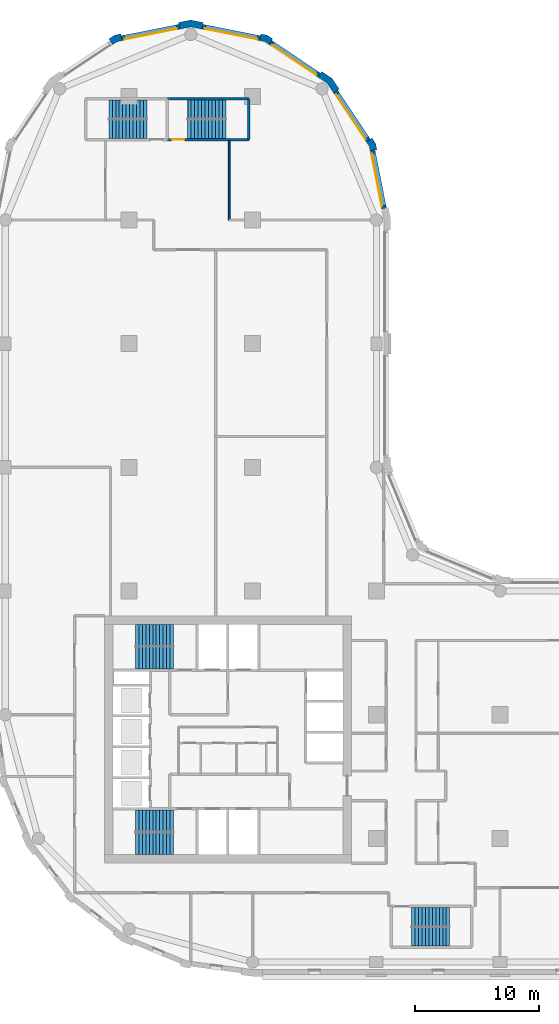
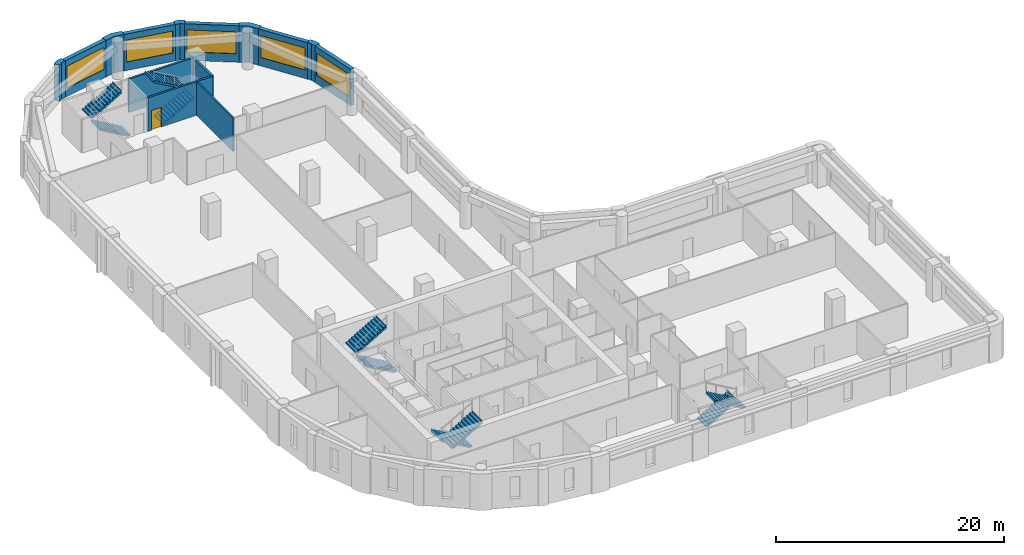
# One storey, part 7 of 9: 14 walls, 10 stair flights, 5 windows, 1 door, 6 openings, 5 elements without a shape of their own.
"""IFC4 building model written with IfcOpenShell, lengths in metres."""

from ifc_helpers import new_model, si_unit, direction, frame, frame_2d, origin, place, context, subcontext, project, spatial, polyline, rectangle, outline, extrude, material, layer, layer_set, type_object, element, fill, aggregate, save


model = new_model("IFC4")

# Units and contexts
model_context = context("Model", 3, precision=1e-05, world=origin(), true_north=direction((0.0, 1.0)))
body_context = subcontext(model_context, "Body", "Model", "MODEL_VIEW")
ifc_project = project(units=[si_unit("LENGTHUNIT", "METRE"), si_unit("AREAUNIT", "SQUARE_METRE"), si_unit("VOLUMEUNIT", "CUBIC_METRE"), si_unit("PLANEANGLEUNIT", "RADIAN"), si_unit("MASSUNIT", "GRAM", prefix="KILO")], contexts=[model_context])

# Site, building, storey
site_placement = place(None, origin())
site = spatial("IfcSite", under=ifc_project, at=site_placement, CompositionType="ELEMENT")
building_placement = place(site_placement, origin())
building = spatial("IfcBuilding", under=site, at=building_placement, Name="Qaws Garden Tower", CompositionType="ELEMENT")
storey_placement = place(building_placement, frame((0.0, 0.0, 166.800048828125)))
storey = spatial("IfcBuildingStorey", under=building, at=storey_placement, Name="L40", CompositionType="ELEMENT", Elevation=166.800048828125)

# Wall, opening, window
ifc_material_1 = material(Name="Buff clay facing brick masonry", Category="masonry")
ifc_layer_1 = layer(ifc_material_1, 0.39990234375)
ifc_layer_set_1 = layer_set([ifc_layer_1], Name="Buff clay facing brick masonry")
wall_type_1 = type_object("IfcWallType", Name="Buff brick infill wall 400", PredefinedType="SOLIDWALL", material=ifc_layer_set_1)
wall_1_placement = place(storey_placement, frame((30.628662109375, 60.940673828125, 0.0), z_axis=(0.0, 0.0, 1.0), x_axis=(-0.195098533057, 0.98078364709, 0.0)))
wall_1 = element("IfcWall", 1, at=wall_1_placement, inside=storey, type_object=wall_type_1, Name="E-L40-infill-13", PredefinedType="SOLIDWALL", context=body_context, shape_type="SweptSolid", body=[
    extrude(rectangle(XDim=4.752685546875, YDim=0.39990234375, at=frame_2d((2.37646484375, 0.0))), origin(), (0.0, 0.0, 1.0), 3.89990234375),
])
opening_1_placement = place(wall_1_placement, frame((0.226318359375, 0.0, 0.89990234375)))
opening_1 = element("IfcOpeningElement", 2, at=opening_1_placement, cuts=wall_1, Name="Opening W06", PredefinedType="OPENING", context=body_context, shape_type="SweptSolid", body=[
    extrude(rectangle(XDim=4.300048828125, YDim=2.35009765625, at=frame_2d((2.14990234375, 1.175048828125))), frame((0.0, 0.2099609375, 0.0), z_axis=(0.0, -1.0, 0.0), x_axis=(1.0, 0.0, 0.0)), (0.0, 0.0, 1.0), 0.419921875),
])
ifc_material_2 = material(Name="Aluminium framed window, clear glazing", Category="aluminium")
window_type = type_object("IfcWindowType", Name="Ribbon window 4300 x 2350", PartitioningType="DOUBLE_PANEL_VERTICAL", PredefinedType="WINDOW", material=ifc_material_2)
window_1_placement = place(opening_1_placement, origin())
window_1 = element("IfcWindow", 3, at=window_1_placement, inside=storey, type_object=window_type, Name="E-L40-window-13-0", OverallHeight=2.35009765625, OverallWidth=4.300048828125, PartitioningType="SINGLE_PANEL", PredefinedType="WINDOW", context=body_context, shape_type="SweptSolid", body=[
    extrude(rectangle(XDim=4.300048828125, YDim=2.35009765625, at=frame_2d((2.14990234375, 1.175048828125))), frame((0.0, 0.159912109375, 0.0), z_axis=(0.0, -1.0, 0.0), x_axis=(1.0, 0.0, 0.0)), (0.0, 0.0, 1.0), 0.06005859375),
])
fill(opening_1, window_1)

wall_2_placement = place(storey_placement, frame((29.356689453125, 66.43408203125, 0.0), z_axis=(0.0, 0.0, 1.0), x_axis=(-0.555541552266, 0.831488775454, 0.0)))
wall_2 = element("IfcWall", 4, at=wall_2_placement, inside=storey, type_object=wall_type_1, Name="E-L40-infill-14", PredefinedType="SOLIDWALL", context=body_context, shape_type="SweptSolid", body=[
    extrude(rectangle(XDim=4.752685546875, YDim=0.39990234375, at=frame_2d((2.37646484375, 0.0))), origin(), (0.0, 0.0, 1.0), 3.89990234375),
])
opening_2_placement = place(wall_2_placement, frame((0.226318359375, 0.0, 0.89990234375)))
opening_2 = element("IfcOpeningElement", 5, at=opening_2_placement, cuts=wall_2, Name="Opening W06", PredefinedType="OPENING", context=body_context, shape_type="SweptSolid", body=[
    extrude(rectangle(XDim=4.300048828125, YDim=2.35009765625, at=frame_2d((2.14990234375, 1.175048828125))), frame((0.0, 0.2099609375, 0.0), z_axis=(0.0, -1.0, 0.0), x_axis=(1.0, 0.0, 0.0)), (0.0, 0.0, 1.0), 0.419921875),
])
window_2_placement = place(opening_2_placement, origin())
window_2 = element("IfcWindow", 6, at=window_2_placement, inside=storey, type_object=window_type, Name="E-L40-window-14-0", OverallHeight=2.35009765625, OverallWidth=4.300048828125, PartitioningType="SINGLE_PANEL", PredefinedType="WINDOW", context=body_context, shape_type="SweptSolid", body=[
    extrude(rectangle(XDim=4.300048828125, YDim=2.35009765625, at=frame_2d((2.14990234375, 1.175048828125))), frame((0.0, 0.159912109375, 0.0), z_axis=(0.0, -1.0, 0.0), x_axis=(1.0, 0.0, 0.0)), (0.0, 0.0, 1.0), 0.06005859375),
])
fill(opening_2, window_2)

wall_3_placement = place(storey_placement, frame((25.385986328125, 71.71630859375, 0.0), z_axis=(0.0, 0.0, 1.0), x_axis=(-0.831488775454, 0.555541552266, 0.0)))
wall_3 = element("IfcWall", 7, at=wall_3_placement, inside=storey, type_object=wall_type_1, Name="E-L40-infill-15", PredefinedType="SOLIDWALL", context=body_context, shape_type="SweptSolid", body=[
    extrude(rectangle(XDim=4.752685546875, YDim=0.39990234375, at=frame_2d((2.37646484375, 0.0))), origin(), (0.0, 0.0, 1.0), 3.89990234375),
])
opening_3_placement = place(wall_3_placement, frame((0.226318359375, 0.0, 0.89990234375)))
opening_3 = element("IfcOpeningElement", 8, at=opening_3_placement, cuts=wall_3, Name="Opening W06", PredefinedType="OPENING", context=body_context, shape_type="SweptSolid", body=[
    extrude(rectangle(XDim=4.300048828125, YDim=2.35009765625, at=frame_2d((2.14990234375, 1.175048828125))), frame((0.0, 0.2099609375, 0.0), z_axis=(0.0, -1.0, 0.0), x_axis=(1.0, 0.0, 0.0)), (0.0, 0.0, 1.0), 0.419921875),
])
window_3_placement = place(opening_3_placement, origin())
window_3 = element("IfcWindow", 9, at=window_3_placement, inside=storey, type_object=window_type, Name="E-L40-window-15-0", OverallHeight=2.35009765625, OverallWidth=4.300048828125, PartitioningType="SINGLE_PANEL", PredefinedType="WINDOW", context=body_context, shape_type="SweptSolid", body=[
    extrude(rectangle(XDim=4.300048828125, YDim=2.35009765625, at=frame_2d((2.14990234375, 1.175048828125))), frame((0.0, 0.159912109375, 0.0), z_axis=(0.0, -1.0, 0.0), x_axis=(1.0, 0.0, 0.0)), (0.0, 0.0, 1.0), 0.06005859375),
])
fill(opening_3, window_3)

wall_4_placement = place(storey_placement, frame((20.60205078125, 74.701416015625, 0.0), z_axis=(0.0, 0.0, 1.0), x_axis=(-0.98078364709, 0.195098533057, 0.0)))
wall_4 = element("IfcWall", 10, at=wall_4_placement, inside=storey, type_object=wall_type_1, Name="E-L40-infill-16", PredefinedType="SOLIDWALL", context=body_context, shape_type="SweptSolid", body=[
    extrude(rectangle(XDim=4.752685546875, YDim=0.39990234375, at=frame_2d((2.37646484375, 0.0))), origin(), (0.0, 0.0, 1.0), 3.89990234375),
])
opening_4_placement = place(wall_4_placement, frame((0.226318359375, 0.0, 0.89990234375)))
opening_4 = element("IfcOpeningElement", 11, at=opening_4_placement, cuts=wall_4, Name="Opening W06", PredefinedType="OPENING", context=body_context, shape_type="SweptSolid", body=[
    extrude(rectangle(XDim=4.300048828125, YDim=2.35009765625, at=frame_2d((2.14990234375, 1.175048828125))), frame((0.0, 0.2099609375, 0.0), z_axis=(0.0, -1.0, 0.0), x_axis=(1.0, 0.0, 0.0)), (0.0, 0.0, 1.0), 0.419921875),
])
window_4_placement = place(opening_4_placement, origin())
window_4 = element("IfcWindow", 12, at=window_4_placement, inside=storey, type_object=window_type, Name="E-L40-window-16-0", OverallHeight=2.35009765625, OverallWidth=4.300048828125, PartitioningType="SINGLE_PANEL", PredefinedType="WINDOW", context=body_context, shape_type="SweptSolid", body=[
    extrude(rectangle(XDim=4.300048828125, YDim=2.35009765625, at=frame_2d((2.14990234375, 1.175048828125))), frame((0.0, 0.159912109375, 0.0), z_axis=(0.0, -1.0, 0.0), x_axis=(1.0, 0.0, 0.0)), (0.0, 0.0, 1.0), 0.06005859375),
])
fill(opening_4, window_4)

wall_5_placement = place(storey_placement, frame((14.059326171875, 75.628662109375, 0.0), z_axis=(0.0, 0.0, 1.0), x_axis=(-0.98078364709, -0.195098533057, 0.0)))
wall_5 = element("IfcWall", 13, at=wall_5_placement, inside=storey, type_object=wall_type_1, Name="E-L40-infill-17", PredefinedType="SOLIDWALL", context=body_context, shape_type="SweptSolid", body=[
    extrude(rectangle(XDim=4.752685546875, YDim=0.39990234375, at=frame_2d((2.37646484375, 0.0))), origin(), (0.0, 0.0, 1.0), 3.89990234375),
])
opening_5_placement = place(wall_5_placement, frame((0.226318359375, 0.0, 0.89990234375)))
opening_5 = element("IfcOpeningElement", 14, at=opening_5_placement, cuts=wall_5, Name="Opening W06", PredefinedType="OPENING", context=body_context, shape_type="SweptSolid", body=[
    extrude(rectangle(XDim=4.300048828125, YDim=2.35009765625, at=frame_2d((2.14990234375, 1.175048828125))), frame((0.0, 0.2099609375, 0.0), z_axis=(0.0, -1.0, 0.0), x_axis=(1.0, 0.0, 0.0)), (0.0, 0.0, 1.0), 0.419921875),
])
window_5_placement = place(opening_5_placement, origin())
window_5 = element("IfcWindow", 15, at=window_5_placement, inside=storey, type_object=window_type, Name="E-L40-window-17-0", OverallHeight=2.35009765625, OverallWidth=4.300048828125, PartitioningType="SINGLE_PANEL", PredefinedType="WINDOW", context=body_context, shape_type="SweptSolid", body=[
    extrude(rectangle(XDim=4.300048828125, YDim=2.35009765625, at=frame_2d((2.14990234375, 1.175048828125))), frame((0.0, 0.159912109375, 0.0), z_axis=(0.0, -1.0, 0.0), x_axis=(1.0, 0.0, 0.0)), (0.0, 0.0, 1.0), 0.06005859375),
])
fill(opening_5, window_5)

# Walls
ifc_material_3 = material(Name="Buff clay facing brick masonry", Category="masonry")
ifc_layer_2 = layer(ifc_material_3, 0.550048828125)
ifc_layer_set_2 = layer_set([ifc_layer_2], Name="Buff clay facing brick masonry")
wall_type_2 = type_object("IfcWallType", Name="Buff brick kink pier 550 x 600", PredefinedType="SOLIDWALL", material=ifc_layer_set_2)
placement = place(storey_placement, origin())
element("IfcWall", 16, at=placement, inside=storey, type_object=wall_type_2, Name="E-L40-pier-14", PredefinedType="SOLIDWALL", context=body_context, shape_type="SweptSolid", body=[
    extrude(outline(polyline([(29.8974609375, 65.64111328125), (30.044677734375, 65.67041015625), (29.94140625, 66.18896484375), (29.647705078125, 66.628662109375), (29.52294921875, 66.545166015625), (29.1904296875, 66.322998046875), (29.42333984375, 65.974365234375), (29.505126953125, 65.56298828125), (29.8974609375, 65.64111328125)])), origin(), (0.0, 0.0, 1.0), 3.89990234375),
])
element("IfcWall", 17, at=placement, inside=storey, type_object=wall_type_2, Name="E-L40-pier-16", PredefinedType="SOLIDWALL", context=body_context, shape_type="SweptSolid", body=[
    extrude(outline(polyline([(21.545166015625, 74.52294921875), (21.628662109375, 74.647705078125), (21.18896484375, 74.94140625), (20.67041015625, 75.044677734375), (20.64111328125, 74.8974609375), (20.56298828125, 74.505126953125), (20.974365234375, 74.42333984375), (21.322998046875, 74.1904296875), (21.545166015625, 74.52294921875)])), origin(), (0.0, 0.0, 1.0), 3.89990234375),
])
element("IfcWall", 18, at=placement, inside=storey, type_object=wall_type_2, Name="E-L40-pier-18", PredefinedType="SOLIDWALL", context=body_context, shape_type="SweptSolid", body=[
    extrude(outline(polyline([(9.35888671875, 74.8974609375), (9.32958984375, 75.044677734375), (8.81103515625, 74.94140625), (8.371337890625, 74.647705078125), (8.454833984375, 74.52294921875), (8.677001953125, 74.1904296875), (9.025634765625, 74.42333984375), (9.43701171875, 74.505126953125), (9.35888671875, 74.8974609375)])), origin(), (0.0, 0.0, 1.0), 3.89990234375),
])
ifc_material_4 = material(Name="Buff clay facing brick masonry", Category="masonry")
ifc_layer_3 = layer(ifc_material_4, 0.550048828125)
ifc_layer_set_3 = layer_set([ifc_layer_3], Name="Buff clay facing brick masonry")
wall_type_3 = type_object("IfcWallType", Name="Buff brick pier 550 x 1600", PredefinedType="SOLIDWALL", material=ifc_layer_set_3)
element("IfcWall", 19, at=placement, inside=storey, type_object=wall_type_3, Name="E-L40-pier-15", PredefinedType="SOLIDWALL", context=body_context, shape_type="SweptSolid", body=[
    extrude(outline(polyline([(26.882568359375, 70.4970703125), (27.00732421875, 70.580322265625), (26.435791015625, 71.435791015625), (25.580322265625, 72.00732421875), (25.4970703125, 71.882568359375), (25.274658203125, 71.550048828125), (26.0390625, 71.0390625), (26.550048828125, 70.274658203125), (26.882568359375, 70.4970703125)])), origin(), (0.0, 0.0, 1.0), 3.89990234375),
])
element("IfcWall", 20, at=placement, inside=storey, type_object=wall_type_3, Name="E-L40-pier-17", PredefinedType="SOLIDWALL", context=body_context, shape_type="SweptSolid", body=[
    extrude(outline(polyline([(15.979736328125, 75.82470703125), (16.009033203125, 75.971923828125), (15.0, 76.172607421875), (13.990966796875, 75.971923828125), (14.020263671875, 75.82470703125), (14.098388671875, 75.432373046875), (15.0, 75.61181640625), (15.901611328125, 75.432373046875), (15.979736328125, 75.82470703125)])), origin(), (0.0, 0.0, 1.0), 3.89990234375),
])

# Wall, opening, door
ifc_material_5 = material(Name="Concrete C70", Category="concrete")
ifc_layer_4 = layer(ifc_material_5, 0.199951171875)
ifc_layer_set_4 = layer_set([ifc_layer_4], Name="Concrete C70")
wall_type_4 = type_object("IfcWallType", Name="Core shaft wall 200 C70", PredefinedType="SHEAR", material=ifc_layer_set_4)
wall_11_placement = place(storey_placement, frame((13.10009765625, 66.5, 0.0), z_axis=(0.0, 0.0, 1.0), x_axis=(1.0, 0.0, 0.0)))
wall_11 = element("IfcWall", 21, at=wall_11_placement, inside=storey, type_object=wall_type_4, Name="Shaft wall", PredefinedType="SHEAR", context=body_context, shape_type="SweptSolid", body=[
    extrude(rectangle(XDim=6.599853515625, YDim=0.199951171875, at=frame_2d((3.2998046875, 0.0))), origin(), (0.0, 0.0, 1.0), 3.579833984375),
])
opening_6_placement = place(wall_11_placement, frame((0.375, 0.0, 0.0)))
opening_6 = element("IfcOpeningElement", 22, at=opening_6_placement, cuts=wall_11, Name="Opening SD14", PredefinedType="OPENING", context=body_context, shape_type="SweptSolid", body=[
    extrude(rectangle(XDim=1.0, YDim=2.10009765625, at=frame_2d((0.5, 1.050048828125))), frame((0.0, 0.10986328125, 0.0), z_axis=(0.0, -1.0, 0.0), x_axis=(1.0, 0.0, 0.0)), (0.0, 0.0, 1.0), 0.219970703125),
])
ifc_material_6 = material(Name="Steel S235", Category="steel")
door_type = type_object("IfcDoorType", Name="Stair door 1000x2100", OperationType="SINGLE_SWING_RIGHT", PredefinedType="DOOR", material=ifc_material_6)
door_placement = place(opening_6_placement, origin())
door = element("IfcDoor", 23, at=door_placement, inside=storey, type_object=door_type, Name="Stair 7 door", OperationType="SINGLE_SWING_LEFT", OverallHeight=2.10009765625, OverallWidth=1.0, PredefinedType="DOOR", context=body_context, shape_type="SweptSolid", body=[
    extrude(rectangle(XDim=1.0, YDim=2.10009765625, at=frame_2d((0.5, 1.050048828125))), frame((0.0, 0.02490234375, 0.0), z_axis=(0.0, -1.0, 0.0), x_axis=(1.0, 0.0, 0.0)), (0.0, 0.0, 1.0), 0.050048828125),
])
fill(opening_6, door)

# Walls
wall_12_placement = place(storey_placement, frame((13.10009765625, 69.800048828125, 0.0), z_axis=(0.0, 0.0, 1.0), x_axis=(1.0, 0.0, 0.0)))
element("IfcWall", 24, at=wall_12_placement, inside=storey, type_object=wall_type_4, Name="Shaft wall", PredefinedType="SHEAR", context=body_context, shape_type="SweptSolid", body=[
    extrude(rectangle(XDim=6.599853515625, YDim=0.199951171875, at=frame_2d((3.2998046875, 0.0))), origin(), (0.0, 0.0, 1.0), 3.579833984375),
])
wall_13_placement = place(storey_placement, frame((19.699951171875, 66.5, 0.0), z_axis=(0.0, 0.0, 1.0), x_axis=(0.0, 1.0, 0.0)))
element("IfcWall", 25, at=wall_13_placement, inside=storey, type_object=wall_type_4, Name="Shaft wall", PredefinedType="SHEAR", context=body_context, shape_type="SweptSolid", body=[
    extrude(rectangle(XDim=3.300048828125, YDim=0.199951171875, at=frame_2d((1.64990234375, 0.0))), origin(), (0.0, 0.0, 1.0), 3.579833984375),
])
ifc_material_7 = material(Name="Gypsum board partition")
ifc_layer_5 = layer(ifc_material_7, 0.14990234375)
ifc_layer_set_5 = layer_set([ifc_layer_5], Name="Gypsum board partition")
wall_type_5 = type_object("IfcWallType", Name="PARTITION 150 EI 60", PredefinedType="PARTITIONING", material=ifc_layer_set_5)
wall_14_placement = place(storey_placement, frame((18.10009765625, 60.0, 0.0), z_axis=(0.0, 0.0, 1.0), x_axis=(0.0, 1.0, 0.0)))
element("IfcWall", 26, at=wall_14_placement, inside=storey, type_object=wall_type_5, Name="O-L40-wall-012", PredefinedType="PARTITIONING", context=body_context, shape_type="SweptSolid", body=[
    extrude(rectangle(XDim=6.39990234375, YDim=0.14990234375, at=frame_2d((3.199951171875, 0.0))), origin(), (0.0, 0.0, 1.0), 3.579833984375),
])

# Stair, stair flights
ifc_material_8 = material(Name="Concrete C40", Category="concrete")
stair_type_1 = type_object("IfcStairType", Name="Exit stair 1350", PredefinedType="HALF_TURN_STAIR", material=ifc_material_8)
stair_1 = element("IfcStair", 27, at=placement, inside=storey, type_object=stair_type_1, Name="Stair 5", PredefinedType="HALF_TURN_STAIR")
ifc_material_9 = material(Name="Concrete C40", Category="concrete")
stair_flight_type_1 = type_object("IfcStairFlightType", Name="Stair flight 1350", PredefinedType="STRAIGHT", material=ifc_material_9)
stair_flight_1_placement = place(storey_placement, frame((32.85009765625, 3.625, 0.0), z_axis=(0.0, 0.0, 1.0), x_axis=(1.0, 0.0, 0.0)))
stair_flight_1 = element("IfcStairFlight", 28, at=stair_flight_1_placement, type_object=stair_flight_type_1, Name="ST5 flight 1", NumberOfRisers=12, NumberOfTreads=11, PredefinedType="STRAIGHT", RiserHeight=0.1625, TreadLength=0.28, context=body_context, shape_type="SweptSolid", body=[
    extrude(outline(polyline([(-0.0029296875, 0.0), (-0.0029296875, 0.16259765625), (0.0, 0.16259765625), (0.280029296875, 0.16259765625), (0.280029296875, 0.324951171875), (0.56005859375, 0.324951171875), (0.56005859375, 0.487548828125), (0.840087890625, 0.487548828125), (0.840087890625, 0.64990234375), (1.1201171875, 0.64990234375), (1.1201171875, 0.8125), (1.39990234375, 0.8125), (1.39990234375, 0.97509765625), (1.679931640625, 0.97509765625), (1.679931640625, 1.137451171875), (1.9599609375, 1.137451171875), (1.9599609375, 1.300048828125), (2.239990234375, 1.300048828125), (2.239990234375, 1.46240234375), (2.52001953125, 1.46240234375), (2.52001953125, 1.625), (2.800048828125, 1.625), (2.800048828125, 1.78759765625), (3.080078125, 1.78759765625), (3.080078125, 1.949951171875), (3.0830078125, 1.949951171875), (3.0830078125, 1.6142578125), (3.080078125, 1.6142578125), (0.298583984375, 0.0), (-0.0029296875, 0.0)])), frame((0.0, 0.77490234375, 0.0), z_axis=(0.0, -1.0, 0.0), x_axis=(1.0, 0.0, 0.0)), (0.0, 0.0, 1.0), 1.550048828125),
])
stair_flight_2_placement = place(storey_placement, frame((35.929931640625, 2.074951171875, 1.949951171875), z_axis=(0.0, 0.0, 1.0), x_axis=(-1.0, 0.0, 0.0)))
stair_flight_2 = element("IfcStairFlight", 29, at=stair_flight_2_placement, type_object=stair_flight_type_1, Name="ST5 flight 2", NumberOfRisers=12, NumberOfTreads=11, PredefinedType="STRAIGHT", RiserHeight=0.1625, TreadLength=0.28, context=body_context, shape_type="SweptSolid", body=[
    extrude(outline(polyline([(-0.0029296875, 0.0), (-0.0029296875, 0.16259765625), (0.0, 0.16259765625), (0.280029296875, 0.16259765625), (0.280029296875, 0.324951171875), (0.56005859375, 0.324951171875), (0.56005859375, 0.487548828125), (0.840087890625, 0.487548828125), (0.840087890625, 0.64990234375), (1.1201171875, 0.64990234375), (1.1201171875, 0.8125), (1.39990234375, 0.8125), (1.39990234375, 0.97509765625), (1.679931640625, 0.97509765625), (1.679931640625, 1.137451171875), (1.9599609375, 1.137451171875), (1.9599609375, 1.300048828125), (2.239990234375, 1.300048828125), (2.239990234375, 1.46240234375), (2.52001953125, 1.46240234375), (2.52001953125, 1.625), (2.800048828125, 1.625), (2.800048828125, 1.78759765625), (3.080078125, 1.78759765625), (3.080078125, 1.949951171875), (3.0830078125, 1.949951171875), (3.0830078125, 1.6142578125), (3.080078125, 1.6142578125), (0.298583984375, 0.0), (-0.0029296875, 0.0)])), frame((0.0, 0.77490234375, 0.0), z_axis=(0.0, -1.0, 0.0), x_axis=(1.0, 0.0, 0.0)), (0.0, 0.0, 1.0), 1.550048828125),
])
aggregate(stair_1, [stair_flight_1, stair_flight_2])

stair_2 = element("IfcStair", 30, at=placement, inside=storey, type_object=stair_type_1, Name="Stair 6", PredefinedType="HALF_TURN_STAIR")
stair_flight_3_placement = place(storey_placement, frame((11.449951171875, 67.375, 0.0), z_axis=(0.0, 0.0, 1.0), x_axis=(-1.0, 0.0, 0.0)))
stair_flight_3 = element("IfcStairFlight", 31, at=stair_flight_3_placement, type_object=stair_flight_type_1, Name="ST6 flight 1", NumberOfRisers=12, NumberOfTreads=11, PredefinedType="STRAIGHT", RiserHeight=0.1625, TreadLength=0.28, context=body_context, shape_type="SweptSolid", body=[
    extrude(outline(polyline([(-0.0029296875, 0.0), (-0.0029296875, 0.16259765625), (0.0, 0.16259765625), (0.280029296875, 0.16259765625), (0.280029296875, 0.324951171875), (0.56005859375, 0.324951171875), (0.56005859375, 0.487548828125), (0.840087890625, 0.487548828125), (0.840087890625, 0.64990234375), (1.1201171875, 0.64990234375), (1.1201171875, 0.8125), (1.39990234375, 0.8125), (1.39990234375, 0.97509765625), (1.679931640625, 0.97509765625), (1.679931640625, 1.137451171875), (1.9599609375, 1.137451171875), (1.9599609375, 1.300048828125), (2.239990234375, 1.300048828125), (2.239990234375, 1.46240234375), (2.52001953125, 1.46240234375), (2.52001953125, 1.625), (2.800048828125, 1.625), (2.800048828125, 1.78759765625), (3.080078125, 1.78759765625), (3.080078125, 1.949951171875), (3.0830078125, 1.949951171875), (3.0830078125, 1.6142578125), (3.080078125, 1.6142578125), (0.298583984375, 0.0), (-0.0029296875, 0.0)])), frame((0.0, 0.77490234375, 0.0), z_axis=(0.0, -1.0, 0.0), x_axis=(1.0, 0.0, 0.0)), (0.0, 0.0, 1.0), 1.550048828125),
])
stair_flight_4_placement = place(storey_placement, frame((8.3701171875, 68.925048828125, 1.949951171875), z_axis=(0.0, 0.0, 1.0), x_axis=(1.0, 0.0, 0.0)))
stair_flight_4 = element("IfcStairFlight", 32, at=stair_flight_4_placement, type_object=stair_flight_type_1, Name="ST6 flight 2", NumberOfRisers=12, NumberOfTreads=11, PredefinedType="STRAIGHT", RiserHeight=0.1625, TreadLength=0.28, context=body_context, shape_type="SweptSolid", body=[
    extrude(outline(polyline([(-0.0029296875, 0.0), (-0.0029296875, 0.16259765625), (0.0, 0.16259765625), (0.280029296875, 0.16259765625), (0.280029296875, 0.324951171875), (0.56005859375, 0.324951171875), (0.56005859375, 0.487548828125), (0.840087890625, 0.487548828125), (0.840087890625, 0.64990234375), (1.1201171875, 0.64990234375), (1.1201171875, 0.8125), (1.39990234375, 0.8125), (1.39990234375, 0.97509765625), (1.679931640625, 0.97509765625), (1.679931640625, 1.137451171875), (1.9599609375, 1.137451171875), (1.9599609375, 1.300048828125), (2.239990234375, 1.300048828125), (2.239990234375, 1.46240234375), (2.52001953125, 1.46240234375), (2.52001953125, 1.625), (2.800048828125, 1.625), (2.800048828125, 1.78759765625), (3.080078125, 1.78759765625), (3.080078125, 1.949951171875), (3.0830078125, 1.949951171875), (3.0830078125, 1.6142578125), (3.080078125, 1.6142578125), (0.298583984375, 0.0), (-0.0029296875, 0.0)])), frame((0.0, 0.77490234375, 0.0), z_axis=(0.0, -1.0, 0.0), x_axis=(1.0, 0.0, 0.0)), (0.0, 0.0, 1.0), 1.550048828125),
])
aggregate(stair_2, [stair_flight_3, stair_flight_4])

stair_3 = element("IfcStair", 33, at=placement, inside=storey, type_object=stair_type_1, Name="Stair 7", PredefinedType="HALF_TURN_STAIR")
stair_flight_5_placement = place(storey_placement, frame((14.75, 67.375, 0.0), z_axis=(0.0, 0.0, 1.0), x_axis=(1.0, 0.0, 0.0)))
stair_flight_5 = element("IfcStairFlight", 34, at=stair_flight_5_placement, type_object=stair_flight_type_1, Name="ST7 flight 1", NumberOfRisers=12, NumberOfTreads=11, PredefinedType="STRAIGHT", RiserHeight=0.1625, TreadLength=0.28, context=body_context, shape_type="SweptSolid", body=[
    extrude(outline(polyline([(-0.0029296875, 0.0), (-0.0029296875, 0.16259765625), (0.0, 0.16259765625), (0.280029296875, 0.16259765625), (0.280029296875, 0.324951171875), (0.56005859375, 0.324951171875), (0.56005859375, 0.487548828125), (0.840087890625, 0.487548828125), (0.840087890625, 0.64990234375), (1.1201171875, 0.64990234375), (1.1201171875, 0.8125), (1.39990234375, 0.8125), (1.39990234375, 0.97509765625), (1.679931640625, 0.97509765625), (1.679931640625, 1.137451171875), (1.9599609375, 1.137451171875), (1.9599609375, 1.300048828125), (2.239990234375, 1.300048828125), (2.239990234375, 1.46240234375), (2.52001953125, 1.46240234375), (2.52001953125, 1.625), (2.800048828125, 1.625), (2.800048828125, 1.78759765625), (3.080078125, 1.78759765625), (3.080078125, 1.949951171875), (3.0830078125, 1.949951171875), (3.0830078125, 1.6142578125), (3.080078125, 1.6142578125), (0.298583984375, 0.0), (-0.0029296875, 0.0)])), frame((0.0, 0.77490234375, 0.0), z_axis=(0.0, -1.0, 0.0), x_axis=(1.0, 0.0, 0.0)), (0.0, 0.0, 1.0), 1.550048828125),
])
stair_flight_6_placement = place(storey_placement, frame((17.830078125, 68.925048828125, 1.949951171875), z_axis=(0.0, 0.0, 1.0), x_axis=(-1.0, 0.0, 0.0)))
stair_flight_6 = element("IfcStairFlight", 35, at=stair_flight_6_placement, type_object=stair_flight_type_1, Name="ST7 flight 2", NumberOfRisers=12, NumberOfTreads=11, PredefinedType="STRAIGHT", RiserHeight=0.1625, TreadLength=0.28, context=body_context, shape_type="SweptSolid", body=[
    extrude(outline(polyline([(-0.0029296875, 0.0), (-0.0029296875, 0.16259765625), (0.0, 0.16259765625), (0.280029296875, 0.16259765625), (0.280029296875, 0.324951171875), (0.56005859375, 0.324951171875), (0.56005859375, 0.487548828125), (0.840087890625, 0.487548828125), (0.840087890625, 0.64990234375), (1.1201171875, 0.64990234375), (1.1201171875, 0.8125), (1.39990234375, 0.8125), (1.39990234375, 0.97509765625), (1.679931640625, 0.97509765625), (1.679931640625, 1.137451171875), (1.9599609375, 1.137451171875), (1.9599609375, 1.300048828125), (2.239990234375, 1.300048828125), (2.239990234375, 1.46240234375), (2.52001953125, 1.46240234375), (2.52001953125, 1.625), (2.800048828125, 1.625), (2.800048828125, 1.78759765625), (3.080078125, 1.78759765625), (3.080078125, 1.949951171875), (3.0830078125, 1.949951171875), (3.0830078125, 1.6142578125), (3.080078125, 1.6142578125), (0.298583984375, 0.0), (-0.0029296875, 0.0)])), frame((0.0, 0.77490234375, 0.0), z_axis=(0.0, -1.0, 0.0), x_axis=(1.0, 0.0, 0.0)), (0.0, 0.0, 1.0), 1.550048828125),
])
aggregate(stair_3, [stair_flight_5, stair_flight_6])

ifc_material_10 = material(Name="Concrete C40", Category="concrete")
stair_type_2 = type_object("IfcStairType", Name="Exit stair 1500", PredefinedType="HALF_TURN_STAIR", material=ifc_material_10)
stair_4 = element("IfcStair", 36, at=placement, inside=storey, type_object=stair_type_2, Name="Stair 1", PredefinedType="HALF_TURN_STAIR")
ifc_material_11 = material(Name="Concrete C40", Category="concrete")
stair_flight_type_2 = type_object("IfcStairFlightType", Name="Stair flight 1500", PredefinedType="STRAIGHT", material=ifc_material_11)
stair_flight_7_placement = place(storey_placement, frame((13.60009765625, 11.39990234375, 0.0), z_axis=(0.0, 0.0, 1.0), x_axis=(-1.0, 0.0, 0.0)))
stair_flight_7 = element("IfcStairFlight", 37, at=stair_flight_7_placement, type_object=stair_flight_type_2, Name="ST1 flight 1", NumberOfRisers=12, NumberOfTreads=11, PredefinedType="STRAIGHT", RiserHeight=0.1625, TreadLength=0.28, context=body_context, shape_type="SweptSolid", body=[
    extrude(outline(polyline([(-0.0029296875, 0.0), (-0.0029296875, 0.16259765625), (0.0, 0.16259765625), (0.280029296875, 0.16259765625), (0.280029296875, 0.324951171875), (0.56005859375, 0.324951171875), (0.56005859375, 0.487548828125), (0.840087890625, 0.487548828125), (0.840087890625, 0.64990234375), (1.1201171875, 0.64990234375), (1.1201171875, 0.8125), (1.39990234375, 0.8125), (1.39990234375, 0.97509765625), (1.679931640625, 0.97509765625), (1.679931640625, 1.137451171875), (1.9599609375, 1.137451171875), (1.9599609375, 1.300048828125), (2.239990234375, 1.300048828125), (2.239990234375, 1.46240234375), (2.52001953125, 1.46240234375), (2.52001953125, 1.625), (2.800048828125, 1.625), (2.800048828125, 1.78759765625), (3.080078125, 1.78759765625), (3.080078125, 1.949951171875), (3.0830078125, 1.949951171875), (3.0830078125, 1.6142578125), (3.080078125, 1.6142578125), (0.298583984375, 0.0), (-0.0029296875, 0.0)])), frame((0.0, 0.89990234375, 0.0), z_axis=(0.0, -1.0, 0.0), x_axis=(1.0, 0.0, 0.0)), (0.0, 0.0, 1.0), 1.800048828125),
])
stair_flight_8_placement = place(storey_placement, frame((10.52001953125, 9.60009765625, 1.949951171875), z_axis=(0.0, 0.0, 1.0), x_axis=(1.0, 0.0, 0.0)))
stair_flight_8 = element("IfcStairFlight", 38, at=stair_flight_8_placement, type_object=stair_flight_type_2, Name="ST1 flight 2", NumberOfRisers=12, NumberOfTreads=11, PredefinedType="STRAIGHT", RiserHeight=0.1625, TreadLength=0.28, context=body_context, shape_type="SweptSolid", body=[
    extrude(outline(polyline([(-0.0029296875, 0.0), (-0.0029296875, 0.16259765625), (0.0, 0.16259765625), (0.280029296875, 0.16259765625), (0.280029296875, 0.324951171875), (0.56005859375, 0.324951171875), (0.56005859375, 0.487548828125), (0.840087890625, 0.487548828125), (0.840087890625, 0.64990234375), (1.1201171875, 0.64990234375), (1.1201171875, 0.8125), (1.39990234375, 0.8125), (1.39990234375, 0.97509765625), (1.679931640625, 0.97509765625), (1.679931640625, 1.137451171875), (1.9599609375, 1.137451171875), (1.9599609375, 1.300048828125), (2.239990234375, 1.300048828125), (2.239990234375, 1.46240234375), (2.52001953125, 1.46240234375), (2.52001953125, 1.625), (2.800048828125, 1.625), (2.800048828125, 1.78759765625), (3.080078125, 1.78759765625), (3.080078125, 1.949951171875), (3.0830078125, 1.949951171875), (3.0830078125, 1.6142578125), (3.080078125, 1.6142578125), (0.298583984375, 0.0), (-0.0029296875, 0.0)])), frame((0.0, 0.89990234375, 0.0), z_axis=(0.0, -1.0, 0.0), x_axis=(1.0, 0.0, 0.0)), (0.0, 0.0, 1.0), 1.800048828125),
])
aggregate(stair_4, [stair_flight_7, stair_flight_8])

stair_5 = element("IfcStair", 39, at=placement, inside=storey, type_object=stair_type_2, Name="Stair 4", PredefinedType="HALF_TURN_STAIR")
stair_flight_9_placement = place(storey_placement, frame((13.60009765625, 24.60009765625, 0.0), z_axis=(0.0, 0.0, 1.0), x_axis=(-1.0, 0.0, 0.0)))
stair_flight_9 = element("IfcStairFlight", 40, at=stair_flight_9_placement, type_object=stair_flight_type_2, Name="ST4 flight 1", NumberOfRisers=12, NumberOfTreads=11, PredefinedType="STRAIGHT", RiserHeight=0.1625, TreadLength=0.28, context=body_context, shape_type="SweptSolid", body=[
    extrude(outline(polyline([(-0.0029296875, 0.0), (-0.0029296875, 0.16259765625), (0.0, 0.16259765625), (0.280029296875, 0.16259765625), (0.280029296875, 0.324951171875), (0.56005859375, 0.324951171875), (0.56005859375, 0.487548828125), (0.840087890625, 0.487548828125), (0.840087890625, 0.64990234375), (1.1201171875, 0.64990234375), (1.1201171875, 0.8125), (1.39990234375, 0.8125), (1.39990234375, 0.97509765625), (1.679931640625, 0.97509765625), (1.679931640625, 1.137451171875), (1.9599609375, 1.137451171875), (1.9599609375, 1.300048828125), (2.239990234375, 1.300048828125), (2.239990234375, 1.46240234375), (2.52001953125, 1.46240234375), (2.52001953125, 1.625), (2.800048828125, 1.625), (2.800048828125, 1.78759765625), (3.080078125, 1.78759765625), (3.080078125, 1.949951171875), (3.0830078125, 1.949951171875), (3.0830078125, 1.6142578125), (3.080078125, 1.6142578125), (0.298583984375, 0.0), (-0.0029296875, 0.0)])), frame((0.0, 0.89501953125, 0.0), z_axis=(0.0, -1.0, 0.0), x_axis=(1.0, 0.0, 0.0)), (0.0, 0.0, 1.0), 1.7900390625),
])
stair_flight_10_placement = place(storey_placement, frame((10.52001953125, 26.39990234375, 1.949951171875), z_axis=(0.0, 0.0, 1.0), x_axis=(1.0, 0.0, 0.0)))
stair_flight_10 = element("IfcStairFlight", 41, at=stair_flight_10_placement, type_object=stair_flight_type_2, Name="ST4 flight 2", NumberOfRisers=12, NumberOfTreads=11, PredefinedType="STRAIGHT", RiserHeight=0.1625, TreadLength=0.28, context=body_context, shape_type="SweptSolid", body=[
    extrude(outline(polyline([(-0.0029296875, 0.0), (-0.0029296875, 0.16259765625), (0.0, 0.16259765625), (0.280029296875, 0.16259765625), (0.280029296875, 0.324951171875), (0.56005859375, 0.324951171875), (0.56005859375, 0.487548828125), (0.840087890625, 0.487548828125), (0.840087890625, 0.64990234375), (1.1201171875, 0.64990234375), (1.1201171875, 0.8125), (1.39990234375, 0.8125), (1.39990234375, 0.97509765625), (1.679931640625, 0.97509765625), (1.679931640625, 1.137451171875), (1.9599609375, 1.137451171875), (1.9599609375, 1.300048828125), (2.239990234375, 1.300048828125), (2.239990234375, 1.46240234375), (2.52001953125, 1.46240234375), (2.52001953125, 1.625), (2.800048828125, 1.625), (2.800048828125, 1.78759765625), (3.080078125, 1.78759765625), (3.080078125, 1.949951171875), (3.0830078125, 1.949951171875), (3.0830078125, 1.6142578125), (3.080078125, 1.6142578125), (0.298583984375, 0.0), (-0.0029296875, 0.0)])), frame((0.0, 0.89501953125, 0.0), z_axis=(0.0, -1.0, 0.0), x_axis=(1.0, 0.0, 0.0)), (0.0, 0.0, 1.0), 1.7900390625),
])
aggregate(stair_5, [stair_flight_9, stair_flight_10])

save(model, "model.ifc")
